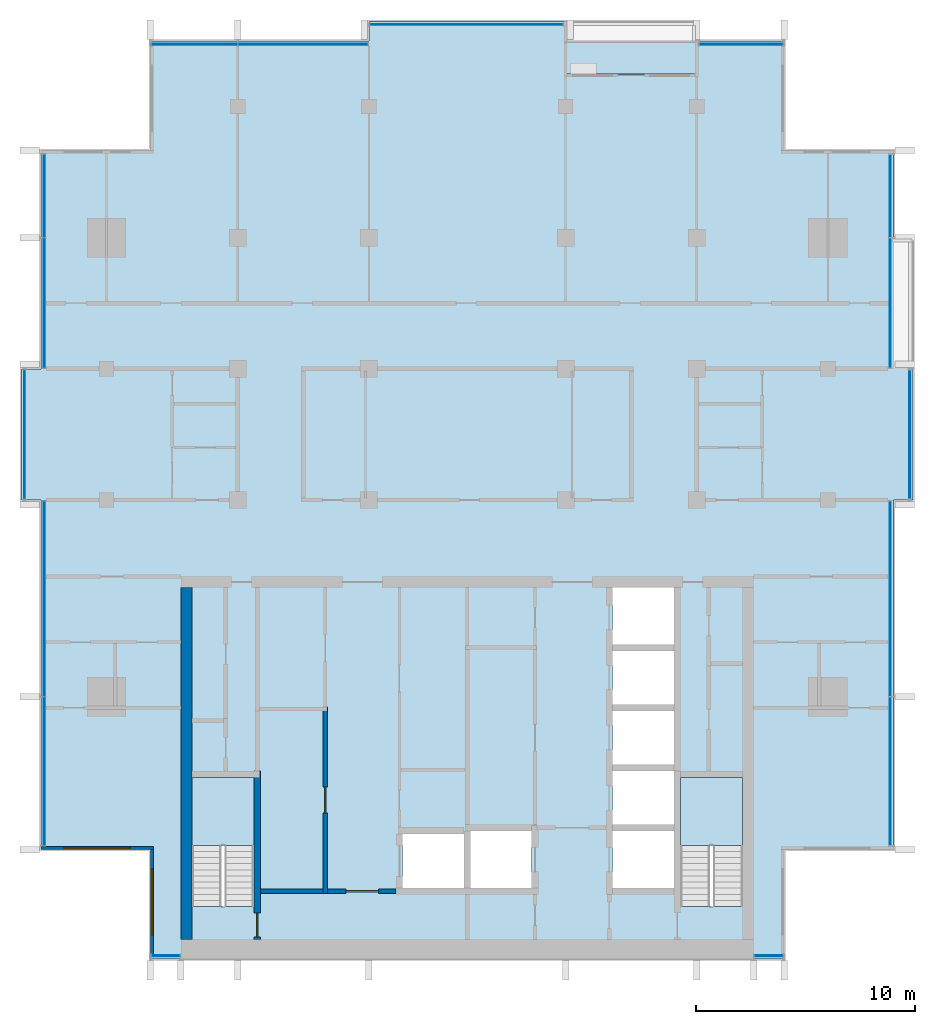
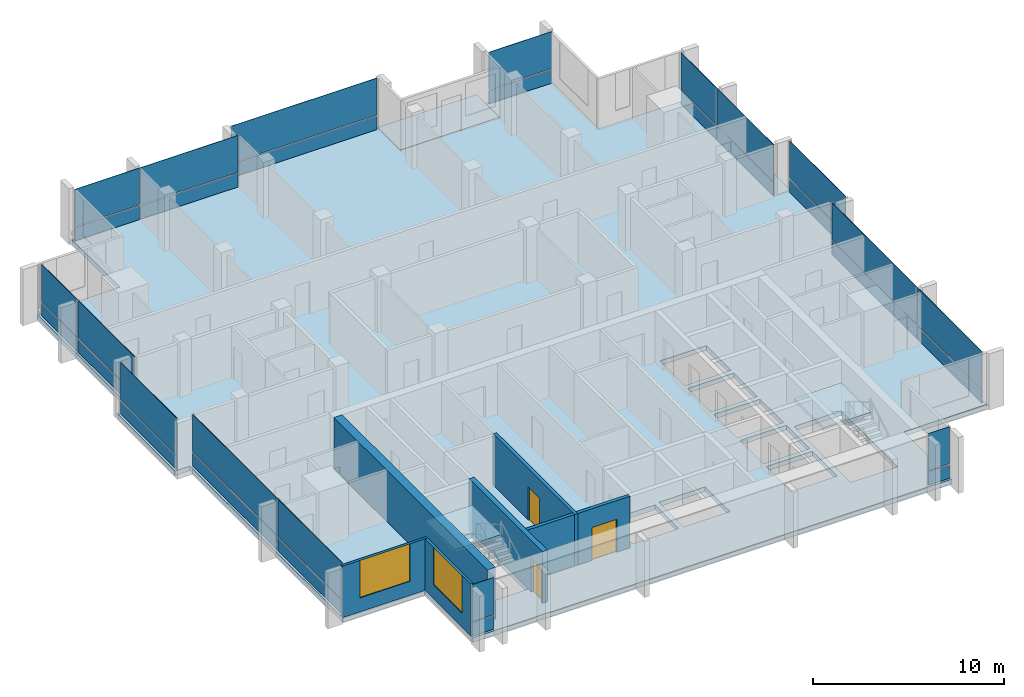
# One storey, part 6 of 15: 32 plates, 7 walls, 4 slabs, 3 doors, 2 windows, 5 openings, 13 elements without a shape of their own.
"""IFC4 building model written with IfcOpenShell, lengths in metres."""

from ifc_helpers import new_model, si_unit, direction, frame, frame_2d, origin, origin_2d, place, context, subcontext, project, spatial, polyline, rectangle, outline, extrude, material, layer, layer_set, type_object, element, fill, aggregate, save


model = new_model("IFC4")

# Units and contexts
model_context = context("Model", 3, precision=1e-05, world=origin(), true_north=direction((0.0, 1.0)))
body_context = subcontext(model_context, "Body", "Model", "MODEL_VIEW")
ifc_project = project(units=[si_unit("LENGTHUNIT", "METRE"), si_unit("AREAUNIT", "SQUARE_METRE"), si_unit("VOLUMEUNIT", "CUBIC_METRE"), si_unit("PLANEANGLEUNIT", "RADIAN"), si_unit("MASSUNIT", "GRAM", prefix="KILO")], contexts=[model_context])

# Site, building, storey
site_placement = place(None, origin())
site = spatial("IfcSite", under=ifc_project, at=site_placement, CompositionType="ELEMENT")
building_placement = place(site_placement, origin())
building = spatial("IfcBuilding", under=site, at=building_placement, Name="Finial Court Residences", CompositionType="ELEMENT")
storey_placement = place(building_placement, frame((0.0, 0.0, 273.5)))
storey = spatial("IfcBuildingStorey", under=building, at=storey_placement, Name="L69", CompositionType="ELEMENT", Elevation=273.5)

# Slab
ifc_material_1 = material(Name="Concrete C35/45", Category="concrete")
ifc_layer_1 = layer(ifc_material_1, 0.199951171875)
ifc_layer_set_1 = layer_set([ifc_layer_1], Name="Balcony slab, Concrete C35/45 200")
slab_type_1 = type_object("IfcSlabType", Name="Balcony slab, Concrete C35/45 200", PredefinedType="FLOOR", material=ifc_layer_set_1)
slab_1_placement = place(storey_placement, frame((0.0, 0.0, -0.199951171875)))
element("IfcSlab", 1, at=slab_1_placement, inside=storey, type_object=slab_type_1, Name="Balcony L69-N4", PredefinedType="FLOOR", context=body_context, shape_type="SweptSolid", body=[
    extrude(outline(polyline([(4.5, 16.5), (4.5, 17.39990234375), (10.5, 17.39990234375), (10.5, 16.5), (10.5, 15.0), (4.5, 15.0), (4.5, 16.5)])), origin(), (0.0, 0.0, 1.0), 0.199951171875),
])

# Curtain wall, plates
ifc_material_2 = material(Name="Bronze anodised aluminium", Category="aluminium")
curtain_wall_type = type_object("IfcCurtainWallType", Name="Unitised curtain wall, upper zones", PredefinedType="NOTDEFINED", material=ifc_material_2)
curtain_wall_1_placement = place(storey_placement, origin())
curtain_wall_1 = element("IfcCurtainWall", 2, at=curtain_wall_1_placement, inside=storey, type_object=curtain_wall_type, Name="E-L69-CW-N1", PredefinedType="NOTDEFINED")
ifc_layer_2 = layer(ifc_material_2, 0.035888671875)
ifc_layer_set_2 = layer_set([ifc_layer_2], Name="CW2 spandrel panel 36")
plate_type_1 = type_object("IfcPlateType", Name="CW2 spandrel panel 36", PredefinedType="CURTAIN_PANEL", material=ifc_layer_set_2)
plate_1_placement = place(storey_placement, frame((-12.485107421875, 16.35009765625, 0.0), z_axis=(0.0, 0.0, 1.0), x_axis=(1.0, 0.0, 0.0)))
plate_1 = element("IfcPlate", 3, at=plate_1_placement, type_object=plate_type_1, Name="CW2 spandrel 1.1", PredefinedType="CURTAIN_PANEL", context=body_context, shape_type="SweptSolid", body=[
    extrude(rectangle(XDim=3.909912109375, YDim=0.035888671875, at=origin_2d()), origin(), (0.0, 0.0, 1.0), 0.8701171875),
])
plate_2_placement = place(storey_placement, frame((-7.514892578125, 16.35009765625, 0.0), z_axis=(0.0, 0.0, 1.0), x_axis=(1.0, 0.0, 0.0)))
plate_2 = element("IfcPlate", 4, at=plate_2_placement, type_object=plate_type_1, Name="CW2 spandrel 2.1", PredefinedType="CURTAIN_PANEL", context=body_context, shape_type="SweptSolid", body=[
    extrude(rectangle(XDim=5.909912109375, YDim=0.035888671875, at=origin_2d()), origin(), (0.0, 0.0, 1.0), 0.8701171875),
])

# Curtain wall, plate
curtain_wall_2_placement = place(storey_placement, origin())
curtain_wall_2 = element("IfcCurtainWall", 5, at=curtain_wall_2_placement, inside=storey, type_object=curtain_wall_type, Name="E-L69-CW-N2", PredefinedType="NOTDEFINED")
plate_3_placement = place(storey_placement, frame((-0.03759765625, 17.25, 0.0), z_axis=(0.0, 0.0, 1.0), x_axis=(1.0, 0.0, 0.0)))
plate_3 = element("IfcPlate", 6, at=plate_3_placement, type_object=plate_type_1, Name="CW2 spandrel 1.1", PredefinedType="CURTAIN_PANEL", context=body_context, shape_type="SweptSolid", body=[
    extrude(rectangle(XDim=8.804931640625, YDim=0.035888671875, at=origin_2d()), origin(), (0.0, 0.0, 1.0), 0.8701171875),
])

curtain_wall_3_placement = place(storey_placement, origin())
curtain_wall_3 = element("IfcCurtainWall", 7, at=curtain_wall_3_placement, inside=storey, type_object=curtain_wall_type, Name="E-L69-CW-N3", PredefinedType="NOTDEFINED")
plate_4_placement = place(storey_placement, frame((12.53759765625, 16.35009765625, 0.0), z_axis=(0.0, 0.0, 1.0), x_axis=(1.0, 0.0, 0.0)))
plate_4 = element("IfcPlate", 8, at=plate_4_placement, type_object=plate_type_1, Name="CW2 spandrel 1.1", PredefinedType="CURTAIN_PANEL", context=body_context, shape_type="SweptSolid", body=[
    extrude(rectangle(XDim=3.804931640625, YDim=0.035888671875, at=origin_2d()), origin(), (0.0, 0.0, 1.0), 0.8701171875),
])

# Curtain wall, plates
curtain_wall_4_placement = place(storey_placement, origin())
curtain_wall_4 = element("IfcCurtainWall", 9, at=curtain_wall_4_placement, inside=storey, type_object=curtain_wall_type, Name="E-L69-CW-E4", PredefinedType="NOTDEFINED")
plate_5_placement = place(storey_placement, frame((19.35009765625, -16.909912109375, 0.0), z_axis=(0.0, 0.0, 1.0), x_axis=(0.0, 1.0, 0.0)))
plate_5 = element("IfcPlate", 10, at=plate_5_placement, type_object=plate_type_1, Name="CW2 spandrel 1.1", PredefinedType="CURTAIN_PANEL", context=body_context, shape_type="SweptSolid", body=[
    extrude(rectangle(XDim=6.760009765625, YDim=0.035888671875, at=origin_2d()), origin(), (0.0, 0.0, 1.0), 0.8701171875),
])
plate_6_placement = place(storey_placement, frame((19.35009765625, -9.014892578125, 0.0), z_axis=(0.0, 0.0, 1.0), x_axis=(0.0, 1.0, 0.0)))
plate_6 = element("IfcPlate", 11, at=plate_6_placement, type_object=plate_type_1, Name="CW2 spandrel 2.1", PredefinedType="CURTAIN_PANEL", context=body_context, shape_type="SweptSolid", body=[
    extrude(rectangle(XDim=8.909912109375, YDim=0.035888671875, at=origin_2d()), origin(), (0.0, 0.0, 1.0), 0.8701171875),
])

# Curtain wall, plate
curtain_wall_5_placement = place(storey_placement, origin())
curtain_wall_5 = element("IfcCurtainWall", 12, at=curtain_wall_5_placement, inside=storey, type_object=curtain_wall_type, Name="E-L69-CW-E5", PredefinedType="NOTDEFINED")
plate_7_placement = place(storey_placement, frame((20.25, -1.5, 0.0), z_axis=(0.0, 0.0, 1.0), x_axis=(0.0, 1.0, 0.0)))
plate_7 = element("IfcPlate", 13, at=plate_7_placement, type_object=plate_type_1, Name="CW2 spandrel 1.1", PredefinedType="CURTAIN_PANEL", context=body_context, shape_type="SweptSolid", body=[
    extrude(rectangle(XDim=5.8798828125, YDim=0.035888671875, at=origin_2d()), origin(), (0.0, 0.0, 1.0), 0.8701171875),
])

# Curtain wall, plates
curtain_wall_6_placement = place(storey_placement, origin())
curtain_wall_6 = element("IfcCurtainWall", 14, at=curtain_wall_6_placement, inside=storey, type_object=curtain_wall_type, Name="E-L69-CW-E6", PredefinedType="NOTDEFINED")
plate_8_placement = place(storey_placement, frame((19.35009765625, 4.514892578125, 0.0), z_axis=(0.0, 0.0, 1.0), x_axis=(0.0, 1.0, 0.0)))
plate_8 = element("IfcPlate", 15, at=plate_8_placement, type_object=plate_type_1, Name="CW2 spandrel 1.1", PredefinedType="CURTAIN_PANEL", context=body_context, shape_type="SweptSolid", body=[
    extrude(rectangle(XDim=5.909912109375, YDim=0.035888671875, at=origin_2d()), origin(), (0.0, 0.0, 1.0), 0.8701171875),
])
plate_9_placement = place(storey_placement, frame((19.35009765625, 9.409912109375, 0.0), z_axis=(0.0, 0.0, 1.0), x_axis=(0.0, 1.0, 0.0)))
plate_9 = element("IfcPlate", 16, at=plate_9_placement, type_object=plate_type_1, Name="CW2 spandrel 2.1", PredefinedType="CURTAIN_PANEL", context=body_context, shape_type="SweptSolid", body=[
    extrude(rectangle(XDim=3.760009765625, YDim=0.035888671875, at=origin_2d()), origin(), (0.0, 0.0, 1.0), 0.8701171875),
])

# Curtain wall, plate
curtain_wall_7_placement = place(storey_placement, origin())
curtain_wall_7 = element("IfcCurtainWall", 17, at=curtain_wall_7_placement, inside=storey, type_object=curtain_wall_type, Name="E-L69-CW-S7", PredefinedType="NOTDEFINED")
plate_10_placement = place(storey_placement, frame((-13.800048828125, -25.35009765625, 0.0), z_axis=(0.0, 0.0, 1.0), x_axis=(1.0, 0.0, 0.0)))
plate_10 = element("IfcPlate", 18, at=plate_10_placement, type_object=plate_type_1, Name="CW2 spandrel 1.1", PredefinedType="CURTAIN_PANEL", context=body_context, shape_type="SweptSolid", body=[
    extrude(rectangle(XDim=1.280029296875, YDim=0.035888671875, at=origin_2d()), origin(), (0.0, 0.0, 1.0), 0.8701171875),
])

curtain_wall_8_placement = place(storey_placement, origin())
curtain_wall_8 = element("IfcCurtainWall", 19, at=curtain_wall_8_placement, inside=storey, type_object=curtain_wall_type, Name="E-L69-CW-S8", PredefinedType="NOTDEFINED")
plate_11_placement = place(storey_placement, frame((13.800048828125, -25.35009765625, 0.0), z_axis=(0.0, 0.0, 1.0), x_axis=(1.0, 0.0, 0.0)))
plate_11 = element("IfcPlate", 20, at=plate_11_placement, type_object=plate_type_1, Name="CW2 spandrel 1.1", PredefinedType="CURTAIN_PANEL", context=body_context, shape_type="SweptSolid", body=[
    extrude(rectangle(XDim=1.280029296875, YDim=0.035888671875, at=origin_2d()), origin(), (0.0, 0.0, 1.0), 0.8701171875),
])

# Curtain wall, plates
curtain_wall_9_placement = place(storey_placement, origin())
curtain_wall_9 = element("IfcCurtainWall", 21, at=curtain_wall_9_placement, inside=storey, type_object=curtain_wall_type, Name="E-L69-CW-W9", PredefinedType="NOTDEFINED")
plate_12_placement = place(storey_placement, frame((-19.35009765625, -16.909912109375, 0.0), z_axis=(0.0, 0.0, 1.0), x_axis=(0.0, 1.0, 0.0)))
plate_12 = element("IfcPlate", 22, at=plate_12_placement, type_object=plate_type_1, Name="CW2 spandrel 1.1", PredefinedType="CURTAIN_PANEL", context=body_context, shape_type="SweptSolid", body=[
    extrude(rectangle(XDim=6.760009765625, YDim=0.035888671875, at=origin_2d()), origin(), (0.0, 0.0, 1.0), 0.8701171875),
])
plate_13_placement = place(storey_placement, frame((-19.35009765625, -9.014892578125, 0.0), z_axis=(0.0, 0.0, 1.0), x_axis=(0.0, 1.0, 0.0)))
plate_13 = element("IfcPlate", 23, at=plate_13_placement, type_object=plate_type_1, Name="CW2 spandrel 2.1", PredefinedType="CURTAIN_PANEL", context=body_context, shape_type="SweptSolid", body=[
    extrude(rectangle(XDim=8.909912109375, YDim=0.035888671875, at=origin_2d()), origin(), (0.0, 0.0, 1.0), 0.8701171875),
])

# Curtain wall, plate
curtain_wall_10_placement = place(storey_placement, origin())
curtain_wall_10 = element("IfcCurtainWall", 24, at=curtain_wall_10_placement, inside=storey, type_object=curtain_wall_type, Name="E-L69-CW-W10", PredefinedType="NOTDEFINED")
plate_14_placement = place(storey_placement, frame((-20.25, -1.5, 0.0), z_axis=(0.0, 0.0, 1.0), x_axis=(0.0, 1.0, 0.0)))
plate_14 = element("IfcPlate", 25, at=plate_14_placement, type_object=plate_type_1, Name="CW2 spandrel 1.1", PredefinedType="CURTAIN_PANEL", context=body_context, shape_type="SweptSolid", body=[
    extrude(rectangle(XDim=5.8798828125, YDim=0.035888671875, at=origin_2d()), origin(), (0.0, 0.0, 1.0), 0.8701171875),
])

# Curtain wall, plates
curtain_wall_11_placement = place(storey_placement, origin())
curtain_wall_11 = element("IfcCurtainWall", 26, at=curtain_wall_11_placement, inside=storey, type_object=curtain_wall_type, Name="E-L69-CW-W11", PredefinedType="NOTDEFINED")
plate_15_placement = place(storey_placement, frame((-19.35009765625, 4.514892578125, 0.0), z_axis=(0.0, 0.0, 1.0), x_axis=(0.0, 1.0, 0.0)))
plate_15 = element("IfcPlate", 27, at=plate_15_placement, type_object=plate_type_1, Name="CW2 spandrel 1.1", PredefinedType="CURTAIN_PANEL", context=body_context, shape_type="SweptSolid", body=[
    extrude(rectangle(XDim=5.909912109375, YDim=0.035888671875, at=origin_2d()), origin(), (0.0, 0.0, 1.0), 0.8701171875),
])
plate_16_placement = place(storey_placement, frame((-19.35009765625, 9.409912109375, 0.0), z_axis=(0.0, 0.0, 1.0), x_axis=(0.0, 1.0, 0.0)))
plate_16 = element("IfcPlate", 28, at=plate_16_placement, type_object=plate_type_1, Name="CW2 spandrel 2.1", PredefinedType="CURTAIN_PANEL", context=body_context, shape_type="SweptSolid", body=[
    extrude(rectangle(XDim=3.760009765625, YDim=0.035888671875, at=origin_2d()), origin(), (0.0, 0.0, 1.0), 0.8701171875),
])

# Plate
ifc_material_3 = material(Name="Clear low-e glass", Category="glass")
ifc_layer_3 = layer(ifc_material_3, 0.030029296875)
ifc_layer_set_3 = layer_set([ifc_layer_3], Name="CW2 vision glass 30")
plate_type_2 = type_object("IfcPlateType", Name="CW2 vision glass 30", PredefinedType="CURTAIN_PANEL", material=ifc_layer_set_3)
plate_17_placement = place(storey_placement, frame((-12.485107421875, 16.35009765625, 0.929931640625), z_axis=(0.0, 0.0, 1.0), x_axis=(1.0, 0.0, 0.0)))
plate_17 = element("IfcPlate", 29, at=plate_17_placement, type_object=plate_type_2, Name="CW2 glass 1.2", PredefinedType="CURTAIN_PANEL", context=body_context, shape_type="SweptSolid", body=[
    extrude(rectangle(XDim=3.909912109375, YDim=0.030029296875, at=origin_2d()), origin(), (0.0, 0.0, 1.0), 2.3701171875),
])

plate_18_placement = place(storey_placement, frame((-7.514892578125, 16.35009765625, 0.929931640625), z_axis=(0.0, 0.0, 1.0), x_axis=(1.0, 0.0, 0.0)))
plate_18 = element("IfcPlate", 30, at=plate_18_placement, type_object=plate_type_2, Name="CW2 glass 2.2", PredefinedType="CURTAIN_PANEL", context=body_context, shape_type="SweptSolid", body=[
    extrude(rectangle(XDim=5.909912109375, YDim=0.030029296875, at=origin_2d()), origin(), (0.0, 0.0, 1.0), 2.3701171875),
])

aggregate(curtain_wall_1, [plate_1, plate_17, plate_2, plate_18])

plate_19_placement = place(storey_placement, frame((-0.03759765625, 17.25, 0.929931640625), z_axis=(0.0, 0.0, 1.0), x_axis=(1.0, 0.0, 0.0)))
plate_19 = element("IfcPlate", 31, at=plate_19_placement, type_object=plate_type_2, Name="CW2 glass 1.2", PredefinedType="CURTAIN_PANEL", context=body_context, shape_type="SweptSolid", body=[
    extrude(rectangle(XDim=8.804931640625, YDim=0.030029296875, at=origin_2d()), origin(), (0.0, 0.0, 1.0), 2.3701171875),
])

aggregate(curtain_wall_2, [plate_3, plate_19])

plate_20_placement = place(storey_placement, frame((12.53759765625, 16.35009765625, 0.929931640625), z_axis=(0.0, 0.0, 1.0), x_axis=(1.0, 0.0, 0.0)))
plate_20 = element("IfcPlate", 32, at=plate_20_placement, type_object=plate_type_2, Name="CW2 glass 1.2", PredefinedType="CURTAIN_PANEL", context=body_context, shape_type="SweptSolid", body=[
    extrude(rectangle(XDim=3.804931640625, YDim=0.030029296875, at=origin_2d()), origin(), (0.0, 0.0, 1.0), 2.3701171875),
])

aggregate(curtain_wall_3, [plate_4, plate_20])

plate_21_placement = place(storey_placement, frame((19.35009765625, -16.909912109375, 0.929931640625), z_axis=(0.0, 0.0, 1.0), x_axis=(0.0, 1.0, 0.0)))
plate_21 = element("IfcPlate", 33, at=plate_21_placement, type_object=plate_type_2, Name="CW2 glass 1.2", PredefinedType="CURTAIN_PANEL", context=body_context, shape_type="SweptSolid", body=[
    extrude(rectangle(XDim=6.760009765625, YDim=0.030029296875, at=origin_2d()), origin(), (0.0, 0.0, 1.0), 2.3701171875),
])

plate_22_placement = place(storey_placement, frame((19.35009765625, -9.014892578125, 0.929931640625), z_axis=(0.0, 0.0, 1.0), x_axis=(0.0, 1.0, 0.0)))
plate_22 = element("IfcPlate", 34, at=plate_22_placement, type_object=plate_type_2, Name="CW2 glass 2.2", PredefinedType="CURTAIN_PANEL", context=body_context, shape_type="SweptSolid", body=[
    extrude(rectangle(XDim=8.909912109375, YDim=0.030029296875, at=origin_2d()), origin(), (0.0, 0.0, 1.0), 2.3701171875),
])

aggregate(curtain_wall_4, [plate_5, plate_21, plate_6, plate_22])

plate_23_placement = place(storey_placement, frame((20.25, -1.5, 0.929931640625), z_axis=(0.0, 0.0, 1.0), x_axis=(0.0, 1.0, 0.0)))
plate_23 = element("IfcPlate", 35, at=plate_23_placement, type_object=plate_type_2, Name="CW2 glass 1.2", PredefinedType="CURTAIN_PANEL", context=body_context, shape_type="SweptSolid", body=[
    extrude(rectangle(XDim=5.8798828125, YDim=0.030029296875, at=origin_2d()), origin(), (0.0, 0.0, 1.0), 2.3701171875),
])

aggregate(curtain_wall_5, [plate_7, plate_23])

plate_24_placement = place(storey_placement, frame((19.35009765625, 4.514892578125, 0.929931640625), z_axis=(0.0, 0.0, 1.0), x_axis=(0.0, 1.0, 0.0)))
plate_24 = element("IfcPlate", 36, at=plate_24_placement, type_object=plate_type_2, Name="CW2 glass 1.2", PredefinedType="CURTAIN_PANEL", context=body_context, shape_type="SweptSolid", body=[
    extrude(rectangle(XDim=5.909912109375, YDim=0.030029296875, at=origin_2d()), origin(), (0.0, 0.0, 1.0), 2.3701171875),
])

plate_25_placement = place(storey_placement, frame((19.35009765625, 9.409912109375, 0.929931640625), z_axis=(0.0, 0.0, 1.0), x_axis=(0.0, 1.0, 0.0)))
plate_25 = element("IfcPlate", 37, at=plate_25_placement, type_object=plate_type_2, Name="CW2 glass 2.2", PredefinedType="CURTAIN_PANEL", context=body_context, shape_type="SweptSolid", body=[
    extrude(rectangle(XDim=3.760009765625, YDim=0.030029296875, at=origin_2d()), origin(), (0.0, 0.0, 1.0), 2.3701171875),
])

aggregate(curtain_wall_6, [plate_8, plate_24, plate_9, plate_25])

plate_26_placement = place(storey_placement, frame((-13.800048828125, -25.35009765625, 0.929931640625), z_axis=(0.0, 0.0, 1.0), x_axis=(1.0, 0.0, 0.0)))
plate_26 = element("IfcPlate", 38, at=plate_26_placement, type_object=plate_type_2, Name="CW2 glass 1.2", PredefinedType="CURTAIN_PANEL", context=body_context, shape_type="SweptSolid", body=[
    extrude(rectangle(XDim=1.280029296875, YDim=0.030029296875, at=origin_2d()), origin(), (0.0, 0.0, 1.0), 2.3701171875),
])

aggregate(curtain_wall_7, [plate_10, plate_26])

plate_27_placement = place(storey_placement, frame((13.800048828125, -25.35009765625, 0.929931640625), z_axis=(0.0, 0.0, 1.0), x_axis=(1.0, 0.0, 0.0)))
plate_27 = element("IfcPlate", 39, at=plate_27_placement, type_object=plate_type_2, Name="CW2 glass 1.2", PredefinedType="CURTAIN_PANEL", context=body_context, shape_type="SweptSolid", body=[
    extrude(rectangle(XDim=1.280029296875, YDim=0.030029296875, at=origin_2d()), origin(), (0.0, 0.0, 1.0), 2.3701171875),
])

aggregate(curtain_wall_8, [plate_11, plate_27])

plate_28_placement = place(storey_placement, frame((-19.35009765625, -16.909912109375, 0.929931640625), z_axis=(0.0, 0.0, 1.0), x_axis=(0.0, 1.0, 0.0)))
plate_28 = element("IfcPlate", 40, at=plate_28_placement, type_object=plate_type_2, Name="CW2 glass 1.2", PredefinedType="CURTAIN_PANEL", context=body_context, shape_type="SweptSolid", body=[
    extrude(rectangle(XDim=6.760009765625, YDim=0.030029296875, at=origin_2d()), origin(), (0.0, 0.0, 1.0), 2.3701171875),
])

plate_29_placement = place(storey_placement, frame((-19.35009765625, -9.014892578125, 0.929931640625), z_axis=(0.0, 0.0, 1.0), x_axis=(0.0, 1.0, 0.0)))
plate_29 = element("IfcPlate", 41, at=plate_29_placement, type_object=plate_type_2, Name="CW2 glass 2.2", PredefinedType="CURTAIN_PANEL", context=body_context, shape_type="SweptSolid", body=[
    extrude(rectangle(XDim=8.909912109375, YDim=0.030029296875, at=origin_2d()), origin(), (0.0, 0.0, 1.0), 2.3701171875),
])

aggregate(curtain_wall_9, [plate_12, plate_28, plate_13, plate_29])

plate_30_placement = place(storey_placement, frame((-20.25, -1.5, 0.929931640625), z_axis=(0.0, 0.0, 1.0), x_axis=(0.0, 1.0, 0.0)))
plate_30 = element("IfcPlate", 42, at=plate_30_placement, type_object=plate_type_2, Name="CW2 glass 1.2", PredefinedType="CURTAIN_PANEL", context=body_context, shape_type="SweptSolid", body=[
    extrude(rectangle(XDim=5.8798828125, YDim=0.030029296875, at=origin_2d()), origin(), (0.0, 0.0, 1.0), 2.3701171875),
])

aggregate(curtain_wall_10, [plate_14, plate_30])

plate_31_placement = place(storey_placement, frame((-19.35009765625, 4.514892578125, 0.929931640625), z_axis=(0.0, 0.0, 1.0), x_axis=(0.0, 1.0, 0.0)))
plate_31 = element("IfcPlate", 43, at=plate_31_placement, type_object=plate_type_2, Name="CW2 glass 1.2", PredefinedType="CURTAIN_PANEL", context=body_context, shape_type="SweptSolid", body=[
    extrude(rectangle(XDim=5.909912109375, YDim=0.030029296875, at=origin_2d()), origin(), (0.0, 0.0, 1.0), 2.3701171875),
])

plate_32_placement = place(storey_placement, frame((-19.35009765625, 9.409912109375, 0.929931640625), z_axis=(0.0, 0.0, 1.0), x_axis=(0.0, 1.0, 0.0)))
plate_32 = element("IfcPlate", 44, at=plate_32_placement, type_object=plate_type_2, Name="CW2 glass 2.2", PredefinedType="CURTAIN_PANEL", context=body_context, shape_type="SweptSolid", body=[
    extrude(rectangle(XDim=3.760009765625, YDim=0.030029296875, at=origin_2d()), origin(), (0.0, 0.0, 1.0), 2.3701171875),
])

aggregate(curtain_wall_11, [plate_15, plate_31, plate_16, plate_32])

# Stair, slab
ifc_material_4 = material(Name="Concrete C50/60", Category="concrete")
stair_type = type_object("IfcStairType", Name="Exit stair 22 risers of 163.6 mm", PredefinedType="HALF_TURN_STAIR", material=ifc_material_4)
stair_1_placement = place(storey_placement, origin())
stair_1 = element("IfcStair", 45, at=stair_1_placement, inside=storey, type_object=stair_type, Name="L69 Exit stair ST-1", PredefinedType="HALF_TURN_STAIR")
ifc_layer_4 = layer(ifc_material_4, 0.199951171875)
ifc_layer_set_4 = layer_set([ifc_layer_4], Name="Exit stair landing")
slab_type_2 = type_object("IfcSlabType", Name="Exit stair landing", PredefinedType="LANDING", material=ifc_layer_set_4)
slab_2_placement = place(storey_placement, frame((0.0, 0.0, 1.60009765625)))
slab_2 = element("IfcSlab", 46, at=slab_2_placement, type_object=slab_type_2, Name="ST-1 landing 1", PredefinedType="LANDING", context=body_context, shape_type="SweptSolid", body=[
    extrude(outline(polyline([(-9.75, -20.300048828125), (-9.75, -17.199951171875), (-12.60009765625, -17.199951171875), (-12.60009765625, -20.300048828125), (-9.75, -20.300048828125)])), origin(), (0.0, 0.0, 1.0), 0.199951171875),
])
aggregate(stair_1, [slab_2])

stair_2_placement = place(storey_placement, origin())
stair_2 = element("IfcStair", 47, at=stair_2_placement, inside=storey, type_object=stair_type, Name="L69 Exit stair ST-2", PredefinedType="HALF_TURN_STAIR")
slab_3_placement = place(storey_placement, frame((0.0, 0.0, 1.60009765625)))
slab_3 = element("IfcSlab", 48, at=slab_3_placement, type_object=slab_type_2, Name="ST-2 landing 1", PredefinedType="LANDING", context=body_context, shape_type="SweptSolid", body=[
    extrude(outline(polyline([(12.60009765625, -20.300048828125), (12.60009765625, -17.199951171875), (9.75, -17.199951171875), (9.75, -20.300048828125), (12.60009765625, -20.300048828125)])), origin(), (0.0, 0.0, 1.0), 0.199951171875),
])
aggregate(stair_2, [slab_3])

# Slab
ifc_material_5 = material(Name="Concrete C40/50", Category="concrete")
ifc_layer_5 = layer(ifc_material_5, 0.300048828125)
ifc_layer_set_5 = layer_set([ifc_layer_5], Name="Flat plate slab 300 Concrete C40/50")
slab_type_3 = type_object("IfcSlabType", Name="Flat plate slab 300 Concrete C40/50", PredefinedType="FLOOR", material=ifc_layer_set_5)
slab_4_placement = place(storey_placement, frame((0.0, 0.0, -0.300048828125)))
element("IfcSlab", 49, at=slab_4_placement, inside=storey, type_object=slab_type_3, Name="S:SLAB:L69", PredefinedType="FLOOR", context=body_context, shape_type="SweptSolid", body=[
    extrude(outline(polyline([(-20.39990234375, -4.5), (-20.39990234375, 1.5), (-19.5, 1.5), (-19.5, 11.5), (-14.5, 11.5), (-14.5, 16.5), (-4.5, 16.5), (-4.5, 17.39990234375), (4.5, 17.39990234375), (4.5, 16.5), (4.5, 15.0), (10.5, 15.0), (10.5, 16.5), (14.5, 16.5), (14.5, 11.5), (19.5, 11.5), (19.5, 7.5), (20.39990234375, 7.5), (20.39990234375, 1.5), (20.39990234375, -4.5), (19.5, -4.5), (19.5, -20.5), (14.5, -20.5), (14.5, -25.5), (-14.5, -25.5), (-14.5, -20.5), (-19.5, -20.5), (-19.5, -4.5), (-20.39990234375, -4.5)]), holes=[polyline([(-0.14990234375, -19.77001953125), (-2.949951171875, -19.77001953125), (-2.949951171875, -22.25), (-0.14990234375, -22.25), (-0.14990234375, -19.77001953125)]), polyline([(2.949951171875, -19.64990234375), (0.14990234375, -19.64990234375), (0.14990234375, -22.25), (2.949951171875, -22.25), (2.949951171875, -19.64990234375)]), polyline([(9.449951171875, -19.64990234375), (6.64990234375, -19.64990234375), (6.64990234375, -22.25), (9.449951171875, -22.25), (9.449951171875, -19.64990234375)]), polyline([(-12.60009765625, -17.199951171875), (-12.60009765625, -23.09912109375), (-9.75, -23.09912109375), (-9.75, -17.199951171875), (-12.60009765625, -17.199951171875)]), polyline([(9.75, -17.199951171875), (9.75, -23.09912109375), (12.60009765625, -23.09912109375), (12.60009765625, -17.199951171875), (9.75, -17.199951171875)]), polyline([(9.449951171875, -16.89990234375), (6.64990234375, -16.89990234375), (6.64990234375, -19.35009765625), (9.449951171875, -19.35009765625), (9.449951171875, -16.89990234375)]), polyline([(9.449951171875, -14.14990234375), (6.64990234375, -14.14990234375), (6.64990234375, -16.60009765625), (9.449951171875, -16.60009765625), (9.449951171875, -14.14990234375)]), polyline([(9.449951171875, -13.85009765625), (9.449951171875, -11.39990234375), (6.64990234375, -11.39990234375), (6.64990234375, -13.85009765625), (9.449951171875, -13.85009765625)]), polyline([(9.449951171875, -11.10009765625), (9.449951171875, -8.5), (6.64990234375, -8.5), (6.64990234375, -11.10009765625), (9.449951171875, -11.10009765625)])]), origin(), (0.0, 0.0, 1.0), 0.300048828125),
])

# Wall
ifc_layer_6 = layer(ifc_material_4, 0.5)
ifc_layer_set_6 = layer_set([ifc_layer_6], Name="Core outer wall 500 Concrete C50/60")
wall_type_1 = type_object("IfcWallType", Name="Core outer wall 500 Concrete C50/60", PredefinedType="SHEAR", material=ifc_layer_set_6)
wall_1_placement = place(storey_placement, frame((-12.85009765625, -24.60009765625, 0.0), z_axis=(0.0, 0.0, 1.0), x_axis=(0.0, 1.0, 0.0)))
element("IfcWall", 50, at=wall_1_placement, inside=storey, type_object=wall_type_1, Name="Core outer wall L69-03", PredefinedType="SHEAR", context=body_context, shape_type="SweptSolid", body=[
    extrude(rectangle(XDim=16.10009765625, YDim=0.5, at=frame_2d((8.050048828125, 0.0))), origin(), (0.0, 0.0, 1.0), 3.300048828125),
])

# Wall, opening, door
ifc_layer_7 = layer(ifc_material_4, 0.300048828125)
ifc_layer_set_7 = layer_set([ifc_layer_7], Name="Lift shaft and stair wall 300 Concrete C50/60")
wall_type_2 = type_object("IfcWallType", Name="Lift shaft and stair wall 300 Concrete C50/60", PredefinedType="SHEAR", material=ifc_layer_set_7)
wall_2_placement = place(storey_placement, frame((-9.60009765625, -24.60009765625, 0.0), z_axis=(0.0, 0.0, 1.0), x_axis=(0.0, 1.0, 0.0)))
wall_2 = element("IfcWall", 51, at=wall_2_placement, inside=storey, type_object=wall_type_2, Name="Core wall L69-21", PredefinedType="SHEAR", context=body_context, shape_type="SweptSolid", body=[
    extrude(rectangle(XDim=7.7001953125, YDim=0.300048828125, at=frame_2d((3.85009765625, 0.0))), origin(), (0.0, 0.0, 1.0), 3.300048828125),
])
opening_1_placement = place(wall_2_placement, frame((0.10009765625, 0.0, 0.0)))
opening_1 = element("IfcOpeningElement", 52, at=opening_1_placement, cuts=wall_2, Name="Opening L69-C19", PredefinedType="OPENING", context=body_context, shape_type="SweptSolid", body=[
    extrude(rectangle(XDim=1.10009765625, YDim=2.10009765625, at=frame_2d((0.550048828125, 1.050048828125))), frame((0.0, 0.159912109375, 0.0), z_axis=(0.0, -1.0, 0.0), x_axis=(1.0, 0.0, 0.0)), (0.0, 0.0, 1.0), 0.320068359375),
])
ifc_material_6 = material(Name="Steel fire door", Category="steel")
door_type_1 = type_object("IfcDoorType", Name="Stair door 1100 x 2100 EI 90", OperationType="NOTDEFINED", PredefinedType="DOOR", material=ifc_material_6)
door_1_placement = place(opening_1_placement, origin())
door_1 = element("IfcDoor", 53, at=door_1_placement, inside=storey, type_object=door_type_1, Name="Stair door L69-C19", OperationType="SINGLE_SWING_LEFT", OverallHeight=2.10009765625, OverallWidth=1.10009765625, PredefinedType="DOOR", context=body_context, shape_type="SweptSolid", body=[
    extrude(rectangle(XDim=1.10009765625, YDim=2.10009765625, at=frame_2d((0.550048828125, 1.050048828125))), frame((0.0, 0.02490234375, 0.0), z_axis=(0.0, -1.0, 0.0), x_axis=(1.0, 0.0, 0.0)), (0.0, 0.0, 1.0), 0.050048828125),
])
fill(opening_1, door_1)

# Wall, opening, window
ifc_material_7 = material(Name="Natural limestone", Category="masonry")
ifc_layer_8 = layer(ifc_material_7, 0.14990234375)
ifc_layer_set_8 = layer_set([ifc_layer_8], Name="Limestone clad wall 150")
wall_type_3 = type_object("IfcWallType", Name="Limestone clad wall 150", PredefinedType="SOLIDWALL", material=ifc_layer_set_8)
wall_3_placement = place(storey_placement, frame((-14.425048828125, -25.262451171875, 0.0), z_axis=(0.0, 0.0, 1.0), x_axis=(0.0, 1.0, 0.0)))
wall_3 = element("IfcWall", 54, at=wall_3_placement, inside=storey, type_object=wall_type_3, Name="E-L69-NWW12", PredefinedType="SOLIDWALL", context=body_context, shape_type="SweptSolid", body=[
    extrude(rectangle(XDim=4.762451171875, YDim=0.14990234375, at=frame_2d((2.38134765625, 0.0))), origin(), (0.0, 0.0, 1.0), 3.300048828125),
])
opening_2_placement = place(wall_3_placement, frame((0.881103515625, 0.0, 0.89990234375)))
opening_2 = element("IfcOpeningElement", 55, at=opening_2_placement, cuts=wall_3, Name="Opening WE69-01", PredefinedType="OPENING", context=body_context, shape_type="SweptSolid", body=[
    extrude(rectangle(XDim=3.0, YDim=2.39990234375, at=frame_2d((1.5, 1.199951171875))), frame((0.0, 0.0849609375, 0.0), z_axis=(0.0, -1.0, 0.0), x_axis=(1.0, 0.0, 0.0)), (0.0, 0.0, 1.0), 0.169921875),
])
window_type = type_object("IfcWindowType", Name="Corner window 3000 x 2400", PartitioningType="SINGLE_PANEL", PredefinedType="WINDOW", material=ifc_material_3)
window_1_placement = place(opening_2_placement, origin())
window_1 = element("IfcWindow", 56, at=window_1_placement, inside=storey, type_object=window_type, Name="E-L69-NWW12-W1", OverallHeight=2.39990234375, OverallWidth=3.0, PartitioningType="SINGLE_PANEL", PredefinedType="WINDOW", context=body_context, shape_type="SweptSolid", body=[
    extrude(rectangle(XDim=3.0, YDim=2.39990234375, at=frame_2d((1.5, 1.199951171875))), frame((0.0, 0.030029296875, 0.0), z_axis=(0.0, -1.0, 0.0), x_axis=(1.0, 0.0, 0.0)), (0.0, 0.0, 1.0), 0.06005859375),
])
fill(opening_2, window_1)

wall_4_placement = place(storey_placement, frame((-14.35009765625, -20.425048828125, 0.0), z_axis=(0.0, 0.0, 1.0), x_axis=(-1.0, 0.0, 0.0)))
wall_4 = element("IfcWall", 57, at=wall_4_placement, inside=storey, type_object=wall_type_3, Name="E-L69-NWS13", PredefinedType="SOLIDWALL", context=body_context, shape_type="SweptSolid", body=[
    extrude(rectangle(XDim=5.14990234375, YDim=0.14990234375, at=frame_2d((2.574951171875, 0.0))), origin(), (0.0, 0.0, 1.0), 3.300048828125),
])
opening_3_placement = place(wall_4_placement, frame((1.074951171875, 0.0, 0.89990234375)))
opening_3 = element("IfcOpeningElement", 58, at=opening_3_placement, cuts=wall_4, Name="Opening WE69-02", PredefinedType="OPENING", context=body_context, shape_type="SweptSolid", body=[
    extrude(rectangle(XDim=3.0, YDim=2.39990234375, at=frame_2d((1.5, 1.199951171875))), frame((0.0, 0.0849609375, 0.0), z_axis=(0.0, -1.0, 0.0), x_axis=(1.0, 0.0, 0.0)), (0.0, 0.0, 1.0), 0.169921875),
])
window_2_placement = place(opening_3_placement, origin())
window_2 = element("IfcWindow", 59, at=window_2_placement, inside=storey, type_object=window_type, Name="E-L69-NWS13-W1", OverallHeight=2.39990234375, OverallWidth=3.0, PartitioningType="SINGLE_PANEL", PredefinedType="WINDOW", context=body_context, shape_type="SweptSolid", body=[
    extrude(rectangle(XDim=3.0, YDim=2.39990234375, at=frame_2d((1.5, 1.199951171875))), frame((0.0, 0.030029296875, 0.0), z_axis=(0.0, -1.0, 0.0), x_axis=(1.0, 0.0, 0.0)), (0.0, 0.0, 1.0), 0.06005859375),
])
fill(opening_3, window_2)

# Wall
ifc_material_8 = material(Name="Fire-rated gypsum board partition")
ifc_layer_9 = layer(ifc_material_8, 0.199951171875)
ifc_layer_set_9 = layer_set([ifc_layer_9], Name="Riser room wall 200 EI 120")
wall_type_4 = type_object("IfcWallType", Name="Riser room wall 200 EI 120", PredefinedType="PARTITIONING", material=ifc_layer_set_9)
wall_5_placement = place(storey_placement, frame((-9.449951171875, -22.39990234375, 0.0), z_axis=(0.0, 0.0, 1.0), x_axis=(1.0, 0.0, 0.0)))
element("IfcWall", 60, at=wall_5_placement, inside=storey, type_object=wall_type_4, Name="Core partition L69-01", PredefinedType="PARTITIONING", context=body_context, shape_type="SweptSolid", body=[
    extrude(rectangle(XDim=2.849853515625, YDim=0.199951171875, at=frame_2d((1.4248046875, 0.0))), origin(), (0.0, 0.0, 1.0), 3.300048828125),
])

# Wall, opening, door
wall_6_placement = place(storey_placement, frame((-6.5, -22.5, 0.0), z_axis=(0.0, 0.0, 1.0), x_axis=(0.0, 1.0, 0.0)))
wall_6 = element("IfcWall", 61, at=wall_6_placement, inside=storey, type_object=wall_type_4, Name="Core partition L69-24", PredefinedType="PARTITIONING", context=body_context, shape_type="SweptSolid", body=[
    extrude(rectangle(XDim=8.5400390625, YDim=0.199951171875, at=frame_2d((4.27001953125, 0.0))), origin(), (0.0, 0.0, 1.0), 3.300048828125),
])
opening_4_placement = place(wall_6_placement, frame((3.669921875, 0.0, 0.0)))
opening_4 = element("IfcOpeningElement", 62, at=opening_4_placement, cuts=wall_6, Name="Opening L69-C09", PredefinedType="OPENING", context=body_context, shape_type="SweptSolid", body=[
    extrude(rectangle(XDim=1.199951171875, YDim=2.10009765625, at=frame_2d((0.60009765625, 1.050048828125))), frame((0.0, 0.10986328125, 0.0), z_axis=(0.0, -1.0, 0.0), x_axis=(1.0, 0.0, 0.0)), (0.0, 0.0, 1.0), 0.219970703125),
])
door_type_2 = type_object("IfcDoorType", Name="Riser room door 1200 x 2100 EI 90", OperationType="NOTDEFINED", PredefinedType="DOOR", material=ifc_material_6)
door_2_placement = place(opening_4_placement, origin())
door_2 = element("IfcDoor", 63, at=door_2_placement, inside=storey, type_object=door_type_2, Name="Riser room door L69-C09", OperationType="SINGLE_SWING_LEFT", OverallHeight=2.10009765625, OverallWidth=1.199951171875, PredefinedType="DOOR", context=body_context, shape_type="SweptSolid", body=[
    extrude(rectangle(XDim=1.199951171875, YDim=2.10009765625, at=frame_2d((0.60009765625, 1.050048828125))), frame((0.0, 0.02490234375, 0.0), z_axis=(0.0, -1.0, 0.0), x_axis=(1.0, 0.0, 0.0)), (0.0, 0.0, 1.0), 0.050048828125),
])
fill(opening_4, door_2)

ifc_layer_10 = layer(ifc_material_8, 0.199951171875)
ifc_layer_set_10 = layer_set([ifc_layer_10], Name="Stair passage wall 200 EI 180")
wall_type_5 = type_object("IfcWallType", Name="Stair passage wall 200 EI 180", PredefinedType="PARTITIONING", material=ifc_layer_set_10)
wall_7_placement = place(storey_placement, frame((-3.25, -22.39990234375, 0.0), z_axis=(0.0, 0.0, 1.0), x_axis=(-1.0, 0.0, 0.0)))
wall_7 = element("IfcWall", 64, at=wall_7_placement, inside=storey, type_object=wall_type_5, Name="Core partition L69-02", PredefinedType="PARTITIONING", context=body_context, shape_type="SweptSolid", body=[
    extrude(rectangle(XDim=3.14990234375, YDim=0.199951171875, at=frame_2d((1.574951171875, 0.0))), origin(), (0.0, 0.0, 1.0), 3.300048828125),
])
opening_5_placement = place(wall_7_placement, frame((0.800048828125, 0.0, 0.0)))
opening_5 = element("IfcOpeningElement", 65, at=opening_5_placement, cuts=wall_7, Name="Opening L69-C03", PredefinedType="OPENING", context=body_context, shape_type="SweptSolid", body=[
    extrude(rectangle(XDim=1.5, YDim=2.10009765625, at=frame_2d((0.75, 1.050048828125))), frame((0.0, 0.10986328125, 0.0), z_axis=(0.0, -1.0, 0.0), x_axis=(1.0, 0.0, 0.0)), (0.0, 0.0, 1.0), 0.219970703125),
])
door_type_3 = type_object("IfcDoorType", Name="Lift lobby door 1500 x 2100 EI 60", OperationType="DOUBLE_DOOR_SINGLE_SWING", PredefinedType="DOOR", material=ifc_material_6)
door_3_placement = place(opening_5_placement, origin())
door_3 = element("IfcDoor", 66, at=door_3_placement, inside=storey, type_object=door_type_3, Name="Lift lobby door L69-C03", OperationType="DOUBLE_DOOR_SINGLE_SWING", OverallHeight=2.10009765625, OverallWidth=1.5, PredefinedType="DOOR", context=body_context, shape_type="SweptSolid", body=[
    extrude(rectangle(XDim=1.5, YDim=2.10009765625, at=frame_2d((0.75, 1.050048828125))), frame((0.0, 0.02490234375, 0.0), z_axis=(0.0, -1.0, 0.0), x_axis=(1.0, 0.0, 0.0)), (0.0, 0.0, 1.0), 0.050048828125),
])
fill(opening_5, door_3)

save(model, "model.ifc")
